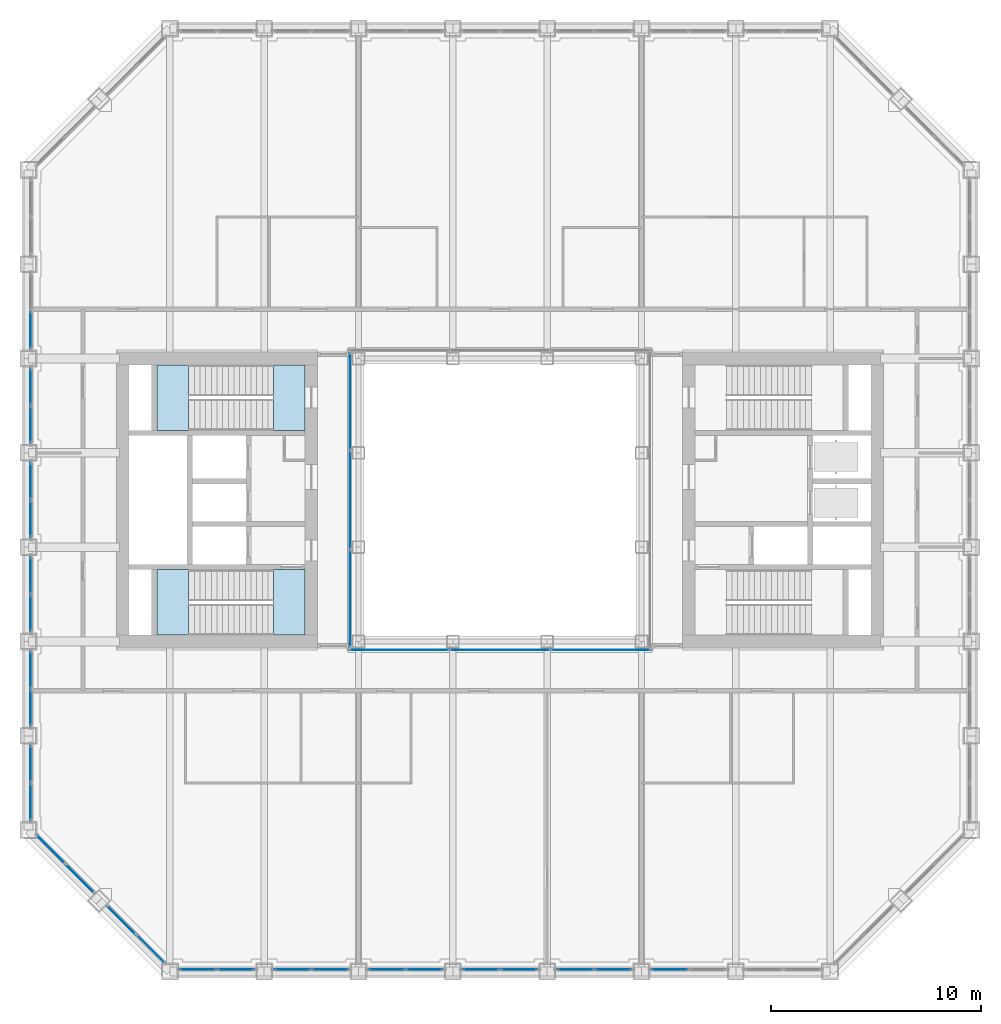
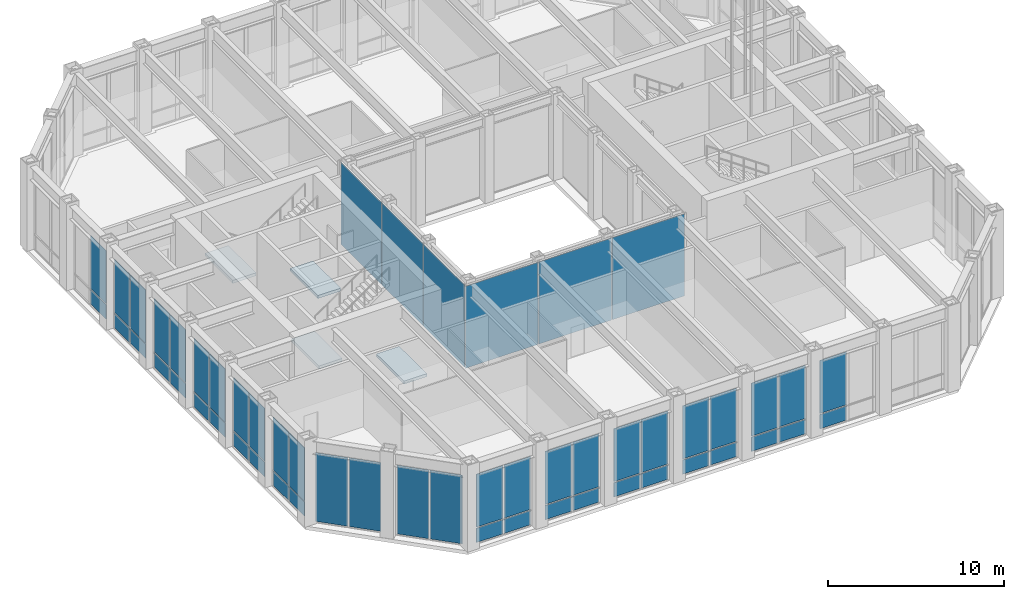
# One storey, part 10 of 22: 54 plates, 4 slabs, 18 elements without a shape of their own.
"""IFC4 building model written with IfcOpenShell, lengths in metres."""

from ifc_helpers import new_model, si_unit, direction, frame, origin, origin_2d, place, context, subcontext, project, spatial, polyline, rectangle, outline, extrude, material, layer, layer_set, type_object, element, aggregate, save


model = new_model("IFC4")

# Units and contexts
model_context = context("Model", 3, precision=1e-05, world=origin(), true_north=direction((0.0, 1.0)))
body_context = subcontext(model_context, "Body", "Model", "MODEL_VIEW")
ifc_project = project(units=[si_unit("LENGTHUNIT", "METRE"), si_unit("AREAUNIT", "SQUARE_METRE"), si_unit("VOLUMEUNIT", "CUBIC_METRE"), si_unit("PLANEANGLEUNIT", "RADIAN"), si_unit("MASSUNIT", "GRAM", prefix="KILO")], contexts=[model_context])

# Site, building, storey
site_placement = place(None, origin())
site = spatial("IfcSite", under=ifc_project, at=site_placement, CompositionType="ELEMENT")
building_placement = place(site_placement, origin())
building = spatial("IfcBuilding", under=site, at=building_placement, Name="Msasa Ring Tower", CompositionType="ELEMENT")
storey_placement = place(building_placement, frame((0.0, 0.0, 112.39990234375)))
storey = spatial("IfcBuildingStorey", under=building, at=storey_placement, Name="L29", CompositionType="ELEMENT", Elevation=112.39990234375)

# Curtain wall, plates
ifc_material_1 = material(Name="Aluminium curtain wall with clear glass", Category="aluminium")
curtain_wall_type_1 = type_object("IfcCurtainWallType", Name="CW-C CHAMFER CORNER CURTAIN WALL", PredefinedType="NOTDEFINED", material=ifc_material_1)
curtain_wall_1_placement = place(storey_placement, origin())
curtain_wall_1 = element("IfcCurtainWall", 1, at=curtain_wall_1_placement, inside=storey, type_object=curtain_wall_type_1, Name="Chamfer corner curtain wall SW L29", PredefinedType="NOTDEFINED")
ifc_material_2 = material(Name="Clear laminated insulating glass unit", Category="glass")
ifc_layer_1 = layer(ifc_material_2, 0.031982421875)
ifc_layer_set_1 = layer_set([ifc_layer_1], Name="CW-C GLASS PANEL 32")
plate_type_1 = type_object("IfcPlateType", Name="CW-C GLASS PANEL 32", PredefinedType="CURTAIN_PANEL", material=ifc_layer_set_1)
plate_1_placement = place(storey_placement, frame((-21.430908203125, -16.677734375, 0.065185546875), z_axis=(0.0, 0.0, 1.0), x_axis=(0.707106781187, -0.707106781187, 0.0)))
plate_1 = element("IfcPlate", 2, at=plate_1_placement, type_object=plate_type_1, Name="CW-C panel 1.1", PredefinedType="CURTAIN_PANEL", context=body_context, shape_type="SweptSolid", body=[
    extrude(rectangle(XDim=1.884033203125, YDim=0.031982421875, at=origin_2d()), origin(), (0.0, 0.0, 1.0), 4.7490234375),
])
plate_2_placement = place(storey_placement, frame((-20.052734375, -18.055908203125, 0.065185546875), z_axis=(0.0, 0.0, 1.0), x_axis=(0.707106781187, -0.707106781187, 0.0)))
plate_2 = element("IfcPlate", 3, at=plate_2_placement, type_object=plate_type_1, Name="CW-C panel 2.1", PredefinedType="CURTAIN_PANEL", context=body_context, shape_type="SweptSolid", body=[
    extrude(rectangle(XDim=1.884033203125, YDim=0.031982421875, at=origin_2d()), origin(), (0.0, 0.0, 1.0), 4.7490234375),
])
aggregate(curtain_wall_1, [plate_1, plate_2])

curtain_wall_2_placement = place(storey_placement, origin())
curtain_wall_2 = element("IfcCurtainWall", 4, at=curtain_wall_2_placement, inside=storey, type_object=curtain_wall_type_1, Name="Chamfer corner curtain wall SW L29", PredefinedType="NOTDEFINED")
plate_3_placement = place(storey_placement, frame((-18.055908203125, -20.052734375, 0.065185546875), z_axis=(0.0, 0.0, 1.0), x_axis=(0.707106781187, -0.707106781187, 0.0)))
plate_3 = element("IfcPlate", 5, at=plate_3_placement, type_object=plate_type_1, Name="CW-C panel 1.1", PredefinedType="CURTAIN_PANEL", context=body_context, shape_type="SweptSolid", body=[
    extrude(rectangle(XDim=1.884033203125, YDim=0.031982421875, at=origin_2d()), origin(), (0.0, 0.0, 1.0), 4.7490234375),
])
plate_4_placement = place(storey_placement, frame((-16.677734375, -21.430908203125, 0.065185546875), z_axis=(0.0, 0.0, 1.0), x_axis=(0.707106781187, -0.707106781187, 0.0)))
plate_4 = element("IfcPlate", 6, at=plate_4_placement, type_object=plate_type_1, Name="CW-C panel 2.1", PredefinedType="CURTAIN_PANEL", context=body_context, shape_type="SweptSolid", body=[
    extrude(rectangle(XDim=1.884033203125, YDim=0.031982421875, at=origin_2d()), origin(), (0.0, 0.0, 1.0), 4.7490234375),
])
aggregate(curtain_wall_2, [plate_3, plate_4])

ifc_material_3 = material(Name="Aluminium curtain wall with clear glass", Category="aluminium")
curtain_wall_type_2 = type_object("IfcCurtainWallType", Name="CW-S SKY LOBBY CURTAIN WALL", PredefinedType="NOTDEFINED", material=ifc_material_3)
curtain_wall_3_placement = place(storey_placement, origin())
curtain_wall_3 = element("IfcCurtainWall", 7, at=curtain_wall_3_placement, inside=storey, type_object=curtain_wall_type_2, Name="Sky lobby curtain wall S L29", PredefinedType="NOTDEFINED")
ifc_material_4 = material(Name="Clear laminated insulating glass unit", Category="glass")
ifc_layer_2 = layer(ifc_material_4, 0.035888671875)
ifc_layer_set_2 = layer_set([ifc_layer_2], Name="CW-S GLASS PANEL 36")
plate_type_2 = type_object("IfcPlateType", Name="CW-S GLASS PANEL 36", PredefinedType="CURTAIN_PANEL", material=ifc_layer_set_2)
plate_5_placement = place(storey_placement, frame((-14.40380859375, -22.39990234375, 0.0751953125), z_axis=(0.0, 0.0, 1.0), x_axis=(1.0, 0.0, 0.0)))
plate_5 = element("IfcPlate", 8, at=plate_5_placement, type_object=plate_type_2, Name="CW-S panel 1.1", PredefinedType="CURTAIN_PANEL", context=body_context, shape_type="SweptSolid", body=[
    extrude(rectangle(XDim=1.732421875, YDim=0.035888671875, at=origin_2d()), origin(), (0.0, 0.0, 1.0), 0.987548828125),
])
plate_6_placement = place(storey_placement, frame((-14.40380859375, -22.39990234375, 1.1376953125), z_axis=(0.0, 0.0, 1.0), x_axis=(1.0, 0.0, 0.0)))
plate_6 = element("IfcPlate", 9, at=plate_6_placement, type_object=plate_type_2, Name="CW-S panel 1.2", PredefinedType="CURTAIN_PANEL", context=body_context, shape_type="SweptSolid", body=[
    extrude(rectangle(XDim=1.732421875, YDim=0.035888671875, at=origin_2d()), origin(), (0.0, 0.0, 1.0), 3.66650390625),
])
plate_7_placement = place(storey_placement, frame((-12.59619140625, -22.39990234375, 0.0751953125), z_axis=(0.0, 0.0, 1.0), x_axis=(1.0, 0.0, 0.0)))
plate_7 = element("IfcPlate", 10, at=plate_7_placement, type_object=plate_type_2, Name="CW-S panel 2.1", PredefinedType="CURTAIN_PANEL", context=body_context, shape_type="SweptSolid", body=[
    extrude(rectangle(XDim=1.732421875, YDim=0.035888671875, at=origin_2d()), origin(), (0.0, 0.0, 1.0), 0.987548828125),
])
plate_8_placement = place(storey_placement, frame((-12.59619140625, -22.39990234375, 1.1376953125), z_axis=(0.0, 0.0, 1.0), x_axis=(1.0, 0.0, 0.0)))
plate_8 = element("IfcPlate", 11, at=plate_8_placement, type_object=plate_type_2, Name="CW-S panel 2.2", PredefinedType="CURTAIN_PANEL", context=body_context, shape_type="SweptSolid", body=[
    extrude(rectangle(XDim=1.732421875, YDim=0.035888671875, at=origin_2d()), origin(), (0.0, 0.0, 1.0), 3.66650390625),
])
aggregate(curtain_wall_3, [plate_5, plate_6, plate_7, plate_8])

curtain_wall_4_placement = place(storey_placement, origin())
curtain_wall_4 = element("IfcCurtainWall", 12, at=curtain_wall_4_placement, inside=storey, type_object=curtain_wall_type_2, Name="Sky lobby curtain wall S L29", PredefinedType="NOTDEFINED")
plate_9_placement = place(storey_placement, frame((-9.90380859375, -22.39990234375, 0.0751953125), z_axis=(0.0, 0.0, 1.0), x_axis=(1.0, 0.0, 0.0)))
plate_9 = element("IfcPlate", 13, at=plate_9_placement, type_object=plate_type_2, Name="CW-S panel 1.1", PredefinedType="CURTAIN_PANEL", context=body_context, shape_type="SweptSolid", body=[
    extrude(rectangle(XDim=1.732421875, YDim=0.035888671875, at=origin_2d()), origin(), (0.0, 0.0, 1.0), 0.987548828125),
])
plate_10_placement = place(storey_placement, frame((-9.90380859375, -22.39990234375, 1.1376953125), z_axis=(0.0, 0.0, 1.0), x_axis=(1.0, 0.0, 0.0)))
plate_10 = element("IfcPlate", 14, at=plate_10_placement, type_object=plate_type_2, Name="CW-S panel 1.2", PredefinedType="CURTAIN_PANEL", context=body_context, shape_type="SweptSolid", body=[
    extrude(rectangle(XDim=1.732421875, YDim=0.035888671875, at=origin_2d()), origin(), (0.0, 0.0, 1.0), 3.66650390625),
])
plate_11_placement = place(storey_placement, frame((-8.09619140625, -22.39990234375, 0.0751953125), z_axis=(0.0, 0.0, 1.0), x_axis=(1.0, 0.0, 0.0)))
plate_11 = element("IfcPlate", 15, at=plate_11_placement, type_object=plate_type_2, Name="CW-S panel 2.1", PredefinedType="CURTAIN_PANEL", context=body_context, shape_type="SweptSolid", body=[
    extrude(rectangle(XDim=1.732421875, YDim=0.035888671875, at=origin_2d()), origin(), (0.0, 0.0, 1.0), 0.987548828125),
])
plate_12_placement = place(storey_placement, frame((-8.09619140625, -22.39990234375, 1.1376953125), z_axis=(0.0, 0.0, 1.0), x_axis=(1.0, 0.0, 0.0)))
plate_12 = element("IfcPlate", 16, at=plate_12_placement, type_object=plate_type_2, Name="CW-S panel 2.2", PredefinedType="CURTAIN_PANEL", context=body_context, shape_type="SweptSolid", body=[
    extrude(rectangle(XDim=1.732421875, YDim=0.035888671875, at=origin_2d()), origin(), (0.0, 0.0, 1.0), 3.66650390625),
])
aggregate(curtain_wall_4, [plate_9, plate_10, plate_11, plate_12])

curtain_wall_5_placement = place(storey_placement, origin())
curtain_wall_5 = element("IfcCurtainWall", 17, at=curtain_wall_5_placement, inside=storey, type_object=curtain_wall_type_2, Name="Sky lobby curtain wall S L29", PredefinedType="NOTDEFINED")
plate_13_placement = place(storey_placement, frame((-5.40380859375, -22.39990234375, 0.0751953125), z_axis=(0.0, 0.0, 1.0), x_axis=(1.0, 0.0, 0.0)))
plate_13 = element("IfcPlate", 18, at=plate_13_placement, type_object=plate_type_2, Name="CW-S panel 1.1", PredefinedType="CURTAIN_PANEL", context=body_context, shape_type="SweptSolid", body=[
    extrude(rectangle(XDim=1.732421875, YDim=0.035888671875, at=origin_2d()), origin(), (0.0, 0.0, 1.0), 0.987548828125),
])
plate_14_placement = place(storey_placement, frame((-5.40380859375, -22.39990234375, 1.1376953125), z_axis=(0.0, 0.0, 1.0), x_axis=(1.0, 0.0, 0.0)))
plate_14 = element("IfcPlate", 19, at=plate_14_placement, type_object=plate_type_2, Name="CW-S panel 1.2", PredefinedType="CURTAIN_PANEL", context=body_context, shape_type="SweptSolid", body=[
    extrude(rectangle(XDim=1.732421875, YDim=0.035888671875, at=origin_2d()), origin(), (0.0, 0.0, 1.0), 3.66650390625),
])
plate_15_placement = place(storey_placement, frame((-3.59619140625, -22.39990234375, 0.0751953125), z_axis=(0.0, 0.0, 1.0), x_axis=(1.0, 0.0, 0.0)))
plate_15 = element("IfcPlate", 20, at=plate_15_placement, type_object=plate_type_2, Name="CW-S panel 2.1", PredefinedType="CURTAIN_PANEL", context=body_context, shape_type="SweptSolid", body=[
    extrude(rectangle(XDim=1.732421875, YDim=0.035888671875, at=origin_2d()), origin(), (0.0, 0.0, 1.0), 0.987548828125),
])
plate_16_placement = place(storey_placement, frame((-3.59619140625, -22.39990234375, 1.1376953125), z_axis=(0.0, 0.0, 1.0), x_axis=(1.0, 0.0, 0.0)))
plate_16 = element("IfcPlate", 21, at=plate_16_placement, type_object=plate_type_2, Name="CW-S panel 2.2", PredefinedType="CURTAIN_PANEL", context=body_context, shape_type="SweptSolid", body=[
    extrude(rectangle(XDim=1.732421875, YDim=0.035888671875, at=origin_2d()), origin(), (0.0, 0.0, 1.0), 3.66650390625),
])
aggregate(curtain_wall_5, [plate_13, plate_14, plate_15, plate_16])

curtain_wall_6_placement = place(storey_placement, origin())
curtain_wall_6 = element("IfcCurtainWall", 22, at=curtain_wall_6_placement, inside=storey, type_object=curtain_wall_type_2, Name="Sky lobby curtain wall S L29", PredefinedType="NOTDEFINED")
plate_17_placement = place(storey_placement, frame((-0.90380859375, -22.39990234375, 0.0751953125), z_axis=(0.0, 0.0, 1.0), x_axis=(1.0, 0.0, 0.0)))
plate_17 = element("IfcPlate", 23, at=plate_17_placement, type_object=plate_type_2, Name="CW-S panel 1.1", PredefinedType="CURTAIN_PANEL", context=body_context, shape_type="SweptSolid", body=[
    extrude(rectangle(XDim=1.732421875, YDim=0.035888671875, at=origin_2d()), origin(), (0.0, 0.0, 1.0), 0.987548828125),
])
plate_18_placement = place(storey_placement, frame((-0.90380859375, -22.39990234375, 1.1376953125), z_axis=(0.0, 0.0, 1.0), x_axis=(1.0, 0.0, 0.0)))
plate_18 = element("IfcPlate", 24, at=plate_18_placement, type_object=plate_type_2, Name="CW-S panel 1.2", PredefinedType="CURTAIN_PANEL", context=body_context, shape_type="SweptSolid", body=[
    extrude(rectangle(XDim=1.732421875, YDim=0.035888671875, at=origin_2d()), origin(), (0.0, 0.0, 1.0), 3.66650390625),
])
plate_19_placement = place(storey_placement, frame((0.90380859375, -22.39990234375, 0.0751953125), z_axis=(0.0, 0.0, 1.0), x_axis=(1.0, 0.0, 0.0)))
plate_19 = element("IfcPlate", 25, at=plate_19_placement, type_object=plate_type_2, Name="CW-S panel 2.1", PredefinedType="CURTAIN_PANEL", context=body_context, shape_type="SweptSolid", body=[
    extrude(rectangle(XDim=1.732421875, YDim=0.035888671875, at=origin_2d()), origin(), (0.0, 0.0, 1.0), 0.987548828125),
])
plate_20_placement = place(storey_placement, frame((0.90380859375, -22.39990234375, 1.1376953125), z_axis=(0.0, 0.0, 1.0), x_axis=(1.0, 0.0, 0.0)))
plate_20 = element("IfcPlate", 26, at=plate_20_placement, type_object=plate_type_2, Name="CW-S panel 2.2", PredefinedType="CURTAIN_PANEL", context=body_context, shape_type="SweptSolid", body=[
    extrude(rectangle(XDim=1.732421875, YDim=0.035888671875, at=origin_2d()), origin(), (0.0, 0.0, 1.0), 3.66650390625),
])
aggregate(curtain_wall_6, [plate_17, plate_18, plate_19, plate_20])

curtain_wall_7_placement = place(storey_placement, origin())
curtain_wall_7 = element("IfcCurtainWall", 27, at=curtain_wall_7_placement, inside=storey, type_object=curtain_wall_type_2, Name="Sky lobby curtain wall S L29", PredefinedType="NOTDEFINED")
plate_21_placement = place(storey_placement, frame((3.59619140625, -22.39990234375, 0.0751953125), z_axis=(0.0, 0.0, 1.0), x_axis=(1.0, 0.0, 0.0)))
plate_21 = element("IfcPlate", 28, at=plate_21_placement, type_object=plate_type_2, Name="CW-S panel 1.1", PredefinedType="CURTAIN_PANEL", context=body_context, shape_type="SweptSolid", body=[
    extrude(rectangle(XDim=1.732421875, YDim=0.035888671875, at=origin_2d()), origin(), (0.0, 0.0, 1.0), 0.987548828125),
])
plate_22_placement = place(storey_placement, frame((3.59619140625, -22.39990234375, 1.1376953125), z_axis=(0.0, 0.0, 1.0), x_axis=(1.0, 0.0, 0.0)))
plate_22 = element("IfcPlate", 29, at=plate_22_placement, type_object=plate_type_2, Name="CW-S panel 1.2", PredefinedType="CURTAIN_PANEL", context=body_context, shape_type="SweptSolid", body=[
    extrude(rectangle(XDim=1.732421875, YDim=0.035888671875, at=origin_2d()), origin(), (0.0, 0.0, 1.0), 3.66650390625),
])
plate_23_placement = place(storey_placement, frame((5.40380859375, -22.39990234375, 0.0751953125), z_axis=(0.0, 0.0, 1.0), x_axis=(1.0, 0.0, 0.0)))
plate_23 = element("IfcPlate", 30, at=plate_23_placement, type_object=plate_type_2, Name="CW-S panel 2.1", PredefinedType="CURTAIN_PANEL", context=body_context, shape_type="SweptSolid", body=[
    extrude(rectangle(XDim=1.732421875, YDim=0.035888671875, at=origin_2d()), origin(), (0.0, 0.0, 1.0), 0.987548828125),
])
plate_24_placement = place(storey_placement, frame((5.40380859375, -22.39990234375, 1.1376953125), z_axis=(0.0, 0.0, 1.0), x_axis=(1.0, 0.0, 0.0)))
plate_24 = element("IfcPlate", 31, at=plate_24_placement, type_object=plate_type_2, Name="CW-S panel 2.2", PredefinedType="CURTAIN_PANEL", context=body_context, shape_type="SweptSolid", body=[
    extrude(rectangle(XDim=1.732421875, YDim=0.035888671875, at=origin_2d()), origin(), (0.0, 0.0, 1.0), 3.66650390625),
])
aggregate(curtain_wall_7, [plate_21, plate_22, plate_23, plate_24])

curtain_wall_8_placement = place(storey_placement, origin())
curtain_wall_8 = element("IfcCurtainWall", 32, at=curtain_wall_8_placement, inside=storey, type_object=curtain_wall_type_2, Name="Sky lobby curtain wall S L29", PredefinedType="NOTDEFINED")
plate_25_placement = place(storey_placement, frame((8.09619140625, -22.39990234375, 0.0751953125), z_axis=(0.0, 0.0, 1.0), x_axis=(1.0, 0.0, 0.0)))
plate_25 = element("IfcPlate", 33, at=plate_25_placement, type_object=plate_type_2, Name="CW-S panel 1.1", PredefinedType="CURTAIN_PANEL", context=body_context, shape_type="SweptSolid", body=[
    extrude(rectangle(XDim=1.732421875, YDim=0.035888671875, at=origin_2d()), origin(), (0.0, 0.0, 1.0), 0.987548828125),
])
plate_26_placement = place(storey_placement, frame((8.09619140625, -22.39990234375, 1.1376953125), z_axis=(0.0, 0.0, 1.0), x_axis=(1.0, 0.0, 0.0)))
plate_26 = element("IfcPlate", 34, at=plate_26_placement, type_object=plate_type_2, Name="CW-S panel 1.2", PredefinedType="CURTAIN_PANEL", context=body_context, shape_type="SweptSolid", body=[
    extrude(rectangle(XDim=1.732421875, YDim=0.035888671875, at=origin_2d()), origin(), (0.0, 0.0, 1.0), 3.66650390625),
])
aggregate(curtain_wall_8, [plate_25, plate_26])

curtain_wall_9_placement = place(storey_placement, origin())
curtain_wall_9 = element("IfcCurtainWall", 35, at=curtain_wall_9_placement, inside=storey, type_object=curtain_wall_type_2, Name="Sky lobby curtain wall W L29", PredefinedType="NOTDEFINED")
plate_27_placement = place(storey_placement, frame((-22.39990234375, -14.40380859375, 0.0751953125), z_axis=(0.0, 0.0, 1.0), x_axis=(0.0, 1.0, 0.0)))
plate_27 = element("IfcPlate", 36, at=plate_27_placement, type_object=plate_type_2, Name="CW-S panel 1.1", PredefinedType="CURTAIN_PANEL", context=body_context, shape_type="SweptSolid", body=[
    extrude(rectangle(XDim=1.732421875, YDim=0.035888671875, at=origin_2d()), origin(), (0.0, 0.0, 1.0), 0.987548828125),
])
plate_28_placement = place(storey_placement, frame((-22.39990234375, -14.40380859375, 1.1376953125), z_axis=(0.0, 0.0, 1.0), x_axis=(0.0, 1.0, 0.0)))
plate_28 = element("IfcPlate", 37, at=plate_28_placement, type_object=plate_type_2, Name="CW-S panel 1.2", PredefinedType="CURTAIN_PANEL", context=body_context, shape_type="SweptSolid", body=[
    extrude(rectangle(XDim=1.732421875, YDim=0.035888671875, at=origin_2d()), origin(), (0.0, 0.0, 1.0), 3.66650390625),
])
plate_29_placement = place(storey_placement, frame((-22.39990234375, -12.59619140625, 0.0751953125), z_axis=(0.0, 0.0, 1.0), x_axis=(0.0, 1.0, 0.0)))
plate_29 = element("IfcPlate", 38, at=plate_29_placement, type_object=plate_type_2, Name="CW-S panel 2.1", PredefinedType="CURTAIN_PANEL", context=body_context, shape_type="SweptSolid", body=[
    extrude(rectangle(XDim=1.732421875, YDim=0.035888671875, at=origin_2d()), origin(), (0.0, 0.0, 1.0), 0.987548828125),
])
plate_30_placement = place(storey_placement, frame((-22.39990234375, -12.59619140625, 1.1376953125), z_axis=(0.0, 0.0, 1.0), x_axis=(0.0, 1.0, 0.0)))
plate_30 = element("IfcPlate", 39, at=plate_30_placement, type_object=plate_type_2, Name="CW-S panel 2.2", PredefinedType="CURTAIN_PANEL", context=body_context, shape_type="SweptSolid", body=[
    extrude(rectangle(XDim=1.732421875, YDim=0.035888671875, at=origin_2d()), origin(), (0.0, 0.0, 1.0), 3.66650390625),
])
aggregate(curtain_wall_9, [plate_27, plate_28, plate_29, plate_30])

curtain_wall_10_placement = place(storey_placement, origin())
curtain_wall_10 = element("IfcCurtainWall", 40, at=curtain_wall_10_placement, inside=storey, type_object=curtain_wall_type_2, Name="Sky lobby curtain wall W L29", PredefinedType="NOTDEFINED")
plate_31_placement = place(storey_placement, frame((-22.39990234375, -9.90380859375, 0.0751953125), z_axis=(0.0, 0.0, 1.0), x_axis=(0.0, 1.0, 0.0)))
plate_31 = element("IfcPlate", 41, at=plate_31_placement, type_object=plate_type_2, Name="CW-S panel 1.1", PredefinedType="CURTAIN_PANEL", context=body_context, shape_type="SweptSolid", body=[
    extrude(rectangle(XDim=1.732421875, YDim=0.035888671875, at=origin_2d()), origin(), (0.0, 0.0, 1.0), 0.987548828125),
])
plate_32_placement = place(storey_placement, frame((-22.39990234375, -9.90380859375, 1.1376953125), z_axis=(0.0, 0.0, 1.0), x_axis=(0.0, 1.0, 0.0)))
plate_32 = element("IfcPlate", 42, at=plate_32_placement, type_object=plate_type_2, Name="CW-S panel 1.2", PredefinedType="CURTAIN_PANEL", context=body_context, shape_type="SweptSolid", body=[
    extrude(rectangle(XDim=1.732421875, YDim=0.035888671875, at=origin_2d()), origin(), (0.0, 0.0, 1.0), 3.66650390625),
])
plate_33_placement = place(storey_placement, frame((-22.39990234375, -8.09619140625, 0.0751953125), z_axis=(0.0, 0.0, 1.0), x_axis=(0.0, 1.0, 0.0)))
plate_33 = element("IfcPlate", 43, at=plate_33_placement, type_object=plate_type_2, Name="CW-S panel 2.1", PredefinedType="CURTAIN_PANEL", context=body_context, shape_type="SweptSolid", body=[
    extrude(rectangle(XDim=1.732421875, YDim=0.035888671875, at=origin_2d()), origin(), (0.0, 0.0, 1.0), 0.987548828125),
])
plate_34_placement = place(storey_placement, frame((-22.39990234375, -8.09619140625, 1.1376953125), z_axis=(0.0, 0.0, 1.0), x_axis=(0.0, 1.0, 0.0)))
plate_34 = element("IfcPlate", 44, at=plate_34_placement, type_object=plate_type_2, Name="CW-S panel 2.2", PredefinedType="CURTAIN_PANEL", context=body_context, shape_type="SweptSolid", body=[
    extrude(rectangle(XDim=1.732421875, YDim=0.035888671875, at=origin_2d()), origin(), (0.0, 0.0, 1.0), 3.66650390625),
])
aggregate(curtain_wall_10, [plate_31, plate_32, plate_33, plate_34])

curtain_wall_11_placement = place(storey_placement, origin())
curtain_wall_11 = element("IfcCurtainWall", 45, at=curtain_wall_11_placement, inside=storey, type_object=curtain_wall_type_2, Name="Sky lobby curtain wall W L29", PredefinedType="NOTDEFINED")
plate_35_placement = place(storey_placement, frame((-22.39990234375, -5.40380859375, 0.0751953125), z_axis=(0.0, 0.0, 1.0), x_axis=(0.0, 1.0, 0.0)))
plate_35 = element("IfcPlate", 46, at=plate_35_placement, type_object=plate_type_2, Name="CW-S panel 1.1", PredefinedType="CURTAIN_PANEL", context=body_context, shape_type="SweptSolid", body=[
    extrude(rectangle(XDim=1.732421875, YDim=0.035888671875, at=origin_2d()), origin(), (0.0, 0.0, 1.0), 0.987548828125),
])
plate_36_placement = place(storey_placement, frame((-22.39990234375, -5.40380859375, 1.1376953125), z_axis=(0.0, 0.0, 1.0), x_axis=(0.0, 1.0, 0.0)))
plate_36 = element("IfcPlate", 47, at=plate_36_placement, type_object=plate_type_2, Name="CW-S panel 1.2", PredefinedType="CURTAIN_PANEL", context=body_context, shape_type="SweptSolid", body=[
    extrude(rectangle(XDim=1.732421875, YDim=0.035888671875, at=origin_2d()), origin(), (0.0, 0.0, 1.0), 3.66650390625),
])
plate_37_placement = place(storey_placement, frame((-22.39990234375, -3.59619140625, 0.0751953125), z_axis=(0.0, 0.0, 1.0), x_axis=(0.0, 1.0, 0.0)))
plate_37 = element("IfcPlate", 48, at=plate_37_placement, type_object=plate_type_2, Name="CW-S panel 2.1", PredefinedType="CURTAIN_PANEL", context=body_context, shape_type="SweptSolid", body=[
    extrude(rectangle(XDim=1.732421875, YDim=0.035888671875, at=origin_2d()), origin(), (0.0, 0.0, 1.0), 0.987548828125),
])
plate_38_placement = place(storey_placement, frame((-22.39990234375, -3.59619140625, 1.1376953125), z_axis=(0.0, 0.0, 1.0), x_axis=(0.0, 1.0, 0.0)))
plate_38 = element("IfcPlate", 49, at=plate_38_placement, type_object=plate_type_2, Name="CW-S panel 2.2", PredefinedType="CURTAIN_PANEL", context=body_context, shape_type="SweptSolid", body=[
    extrude(rectangle(XDim=1.732421875, YDim=0.035888671875, at=origin_2d()), origin(), (0.0, 0.0, 1.0), 3.66650390625),
])
aggregate(curtain_wall_11, [plate_35, plate_36, plate_37, plate_38])

curtain_wall_12_placement = place(storey_placement, origin())
curtain_wall_12 = element("IfcCurtainWall", 50, at=curtain_wall_12_placement, inside=storey, type_object=curtain_wall_type_2, Name="Sky lobby curtain wall W L29", PredefinedType="NOTDEFINED")
plate_39_placement = place(storey_placement, frame((-22.39990234375, -0.90380859375, 0.0751953125), z_axis=(0.0, 0.0, 1.0), x_axis=(0.0, 1.0, 0.0)))
plate_39 = element("IfcPlate", 51, at=plate_39_placement, type_object=plate_type_2, Name="CW-S panel 1.1", PredefinedType="CURTAIN_PANEL", context=body_context, shape_type="SweptSolid", body=[
    extrude(rectangle(XDim=1.732421875, YDim=0.035888671875, at=origin_2d()), origin(), (0.0, 0.0, 1.0), 0.987548828125),
])
plate_40_placement = place(storey_placement, frame((-22.39990234375, -0.90380859375, 1.1376953125), z_axis=(0.0, 0.0, 1.0), x_axis=(0.0, 1.0, 0.0)))
plate_40 = element("IfcPlate", 52, at=plate_40_placement, type_object=plate_type_2, Name="CW-S panel 1.2", PredefinedType="CURTAIN_PANEL", context=body_context, shape_type="SweptSolid", body=[
    extrude(rectangle(XDim=1.732421875, YDim=0.035888671875, at=origin_2d()), origin(), (0.0, 0.0, 1.0), 3.66650390625),
])
plate_41_placement = place(storey_placement, frame((-22.39990234375, 0.90380859375, 0.0751953125), z_axis=(0.0, 0.0, 1.0), x_axis=(0.0, 1.0, 0.0)))
plate_41 = element("IfcPlate", 53, at=plate_41_placement, type_object=plate_type_2, Name="CW-S panel 2.1", PredefinedType="CURTAIN_PANEL", context=body_context, shape_type="SweptSolid", body=[
    extrude(rectangle(XDim=1.732421875, YDim=0.035888671875, at=origin_2d()), origin(), (0.0, 0.0, 1.0), 0.987548828125),
])
plate_42_placement = place(storey_placement, frame((-22.39990234375, 0.90380859375, 1.1376953125), z_axis=(0.0, 0.0, 1.0), x_axis=(0.0, 1.0, 0.0)))
plate_42 = element("IfcPlate", 54, at=plate_42_placement, type_object=plate_type_2, Name="CW-S panel 2.2", PredefinedType="CURTAIN_PANEL", context=body_context, shape_type="SweptSolid", body=[
    extrude(rectangle(XDim=1.732421875, YDim=0.035888671875, at=origin_2d()), origin(), (0.0, 0.0, 1.0), 3.66650390625),
])
aggregate(curtain_wall_12, [plate_39, plate_40, plate_41, plate_42])

curtain_wall_13_placement = place(storey_placement, origin())
curtain_wall_13 = element("IfcCurtainWall", 55, at=curtain_wall_13_placement, inside=storey, type_object=curtain_wall_type_2, Name="Sky lobby curtain wall W L29", PredefinedType="NOTDEFINED")
plate_43_placement = place(storey_placement, frame((-22.39990234375, 3.59619140625, 0.0751953125), z_axis=(0.0, 0.0, 1.0), x_axis=(0.0, 1.0, 0.0)))
plate_43 = element("IfcPlate", 56, at=plate_43_placement, type_object=plate_type_2, Name="CW-S panel 1.1", PredefinedType="CURTAIN_PANEL", context=body_context, shape_type="SweptSolid", body=[
    extrude(rectangle(XDim=1.732421875, YDim=0.035888671875, at=origin_2d()), origin(), (0.0, 0.0, 1.0), 0.987548828125),
])
plate_44_placement = place(storey_placement, frame((-22.39990234375, 3.59619140625, 1.1376953125), z_axis=(0.0, 0.0, 1.0), x_axis=(0.0, 1.0, 0.0)))
plate_44 = element("IfcPlate", 57, at=plate_44_placement, type_object=plate_type_2, Name="CW-S panel 1.2", PredefinedType="CURTAIN_PANEL", context=body_context, shape_type="SweptSolid", body=[
    extrude(rectangle(XDim=1.732421875, YDim=0.035888671875, at=origin_2d()), origin(), (0.0, 0.0, 1.0), 3.66650390625),
])
plate_45_placement = place(storey_placement, frame((-22.39990234375, 5.40380859375, 0.0751953125), z_axis=(0.0, 0.0, 1.0), x_axis=(0.0, 1.0, 0.0)))
plate_45 = element("IfcPlate", 58, at=plate_45_placement, type_object=plate_type_2, Name="CW-S panel 2.1", PredefinedType="CURTAIN_PANEL", context=body_context, shape_type="SweptSolid", body=[
    extrude(rectangle(XDim=1.732421875, YDim=0.035888671875, at=origin_2d()), origin(), (0.0, 0.0, 1.0), 0.987548828125),
])
plate_46_placement = place(storey_placement, frame((-22.39990234375, 5.40380859375, 1.1376953125), z_axis=(0.0, 0.0, 1.0), x_axis=(0.0, 1.0, 0.0)))
plate_46 = element("IfcPlate", 59, at=plate_46_placement, type_object=plate_type_2, Name="CW-S panel 2.2", PredefinedType="CURTAIN_PANEL", context=body_context, shape_type="SweptSolid", body=[
    extrude(rectangle(XDim=1.732421875, YDim=0.035888671875, at=origin_2d()), origin(), (0.0, 0.0, 1.0), 3.66650390625),
])
aggregate(curtain_wall_13, [plate_43, plate_44, plate_45, plate_46])

curtain_wall_14_placement = place(storey_placement, origin())
curtain_wall_14 = element("IfcCurtainWall", 60, at=curtain_wall_14_placement, inside=storey, type_object=curtain_wall_type_2, Name="Sky lobby curtain wall W L29", PredefinedType="NOTDEFINED")
plate_47_placement = place(storey_placement, frame((-22.39990234375, 8.09619140625, 0.0751953125), z_axis=(0.0, 0.0, 1.0), x_axis=(0.0, 1.0, 0.0)))
plate_47 = element("IfcPlate", 61, at=plate_47_placement, type_object=plate_type_2, Name="CW-S panel 1.1", PredefinedType="CURTAIN_PANEL", context=body_context, shape_type="SweptSolid", body=[
    extrude(rectangle(XDim=1.732421875, YDim=0.035888671875, at=origin_2d()), origin(), (0.0, 0.0, 1.0), 0.987548828125),
])
plate_48_placement = place(storey_placement, frame((-22.39990234375, 8.09619140625, 1.1376953125), z_axis=(0.0, 0.0, 1.0), x_axis=(0.0, 1.0, 0.0)))
plate_48 = element("IfcPlate", 62, at=plate_48_placement, type_object=plate_type_2, Name="CW-S panel 1.2", PredefinedType="CURTAIN_PANEL", context=body_context, shape_type="SweptSolid", body=[
    extrude(rectangle(XDim=1.732421875, YDim=0.035888671875, at=origin_2d()), origin(), (0.0, 0.0, 1.0), 3.66650390625),
])
aggregate(curtain_wall_14, [plate_47, plate_48])

ifc_material_5 = material(Name="Aluminium curtain wall with clear glass", Category="aluminium")
curtain_wall_type_3 = type_object("IfcCurtainWallType", Name="CW-W LIGHT WELL CURTAIN WALL", PredefinedType="NOTDEFINED", material=ifc_material_5)
curtain_wall_15_placement = place(storey_placement, origin())
curtain_wall_15 = element("IfcCurtainWall", 63, at=curtain_wall_15_placement, inside=storey, type_object=curtain_wall_type_3, Name="Light well curtain wall S L29", PredefinedType="NOTDEFINED")
ifc_material_6 = material(Name="Clear laminated insulating glass unit", Category="glass")
ifc_layer_3 = layer(ifc_material_6, 0.028076171875)
ifc_layer_set_3 = layer_set([ifc_layer_3], Name="CW-W GLASS PANEL 28")
plate_type_3 = type_object("IfcPlateType", Name="CW-W GLASS PANEL 28", PredefinedType="CURTAIN_PANEL", material=ifc_layer_set_3)
plate_49_placement = place(storey_placement, frame((-4.804931640625, -7.14990234375, 0.06005859375), z_axis=(0.0, 0.0, 1.0), x_axis=(1.0, 0.0, 0.0)))
plate_49 = element("IfcPlate", 64, at=plate_49_placement, type_object=plate_type_3, Name="CW-W panel 1.1", PredefinedType="CURTAIN_PANEL", context=body_context, shape_type="SweptSolid", body=[
    extrude(rectangle(XDim=4.72998046875, YDim=0.028076171875, at=origin_2d()), origin(), (0.0, 0.0, 1.0), 5.679931640625),
])
plate_50_placement = place(storey_placement, frame((0.0, -7.14990234375, 0.06005859375), z_axis=(0.0, 0.0, 1.0), x_axis=(1.0, 0.0, 0.0)))
plate_50 = element("IfcPlate", 65, at=plate_50_placement, type_object=plate_type_3, Name="CW-W panel 2.1", PredefinedType="CURTAIN_PANEL", context=body_context, shape_type="SweptSolid", body=[
    extrude(rectangle(XDim=4.760009765625, YDim=0.028076171875, at=origin_2d()), origin(), (0.0, 0.0, 1.0), 5.679931640625),
])
plate_51_placement = place(storey_placement, frame((4.804931640625, -7.14990234375, 0.06005859375), z_axis=(0.0, 0.0, 1.0), x_axis=(1.0, 0.0, 0.0)))
plate_51 = element("IfcPlate", 66, at=plate_51_placement, type_object=plate_type_3, Name="CW-W panel 3.1", PredefinedType="CURTAIN_PANEL", context=body_context, shape_type="SweptSolid", body=[
    extrude(rectangle(XDim=4.72998046875, YDim=0.028076171875, at=origin_2d()), origin(), (0.0, 0.0, 1.0), 5.679931640625),
])
aggregate(curtain_wall_15, [plate_49, plate_50, plate_51])

curtain_wall_16_placement = place(storey_placement, origin())
curtain_wall_16 = element("IfcCurtainWall", 67, at=curtain_wall_16_placement, inside=storey, type_object=curtain_wall_type_3, Name="Light well curtain wall W L29", PredefinedType="NOTDEFINED")
plate_52_placement = place(storey_placement, frame((-7.14990234375, -4.6982421875, 0.06005859375), z_axis=(0.0, 0.0, 1.0), x_axis=(0.0, 1.0, 0.0)))
plate_52 = element("IfcPlate", 68, at=plate_52_placement, type_object=plate_type_3, Name="CW-W panel 1.1", PredefinedType="CURTAIN_PANEL", context=body_context, shape_type="SweptSolid", body=[
    extrude(rectangle(XDim=4.623291015625, YDim=0.028076171875, at=origin_2d()), origin(), (0.0, 0.0, 1.0), 5.679931640625),
])
plate_53_placement = place(storey_placement, frame((-7.14990234375, 0.0, 0.06005859375), z_axis=(0.0, 0.0, 1.0), x_axis=(0.0, 1.0, 0.0)))
plate_53 = element("IfcPlate", 69, at=plate_53_placement, type_object=plate_type_3, Name="CW-W panel 2.1", PredefinedType="CURTAIN_PANEL", context=body_context, shape_type="SweptSolid", body=[
    extrude(rectangle(XDim=4.6533203125, YDim=0.028076171875, at=origin_2d()), origin(), (0.0, 0.0, 1.0), 5.679931640625),
])
plate_54_placement = place(storey_placement, frame((-7.14990234375, 4.6982421875, 0.06005859375), z_axis=(0.0, 0.0, 1.0), x_axis=(0.0, 1.0, 0.0)))
plate_54 = element("IfcPlate", 70, at=plate_54_placement, type_object=plate_type_3, Name="CW-W panel 3.1", PredefinedType="CURTAIN_PANEL", context=body_context, shape_type="SweptSolid", body=[
    extrude(rectangle(XDim=4.623291015625, YDim=0.028076171875, at=origin_2d()), origin(), (0.0, 0.0, 1.0), 5.679931640625),
])
aggregate(curtain_wall_16, [plate_52, plate_53, plate_54])

# Stair, slabs
ifc_material_7 = material(Name="Concrete C40/50", Category="concrete")
stair_type = type_object("IfcStairType", Name="STC CORE STAIR 32 RISERS 187.5", PredefinedType="HALF_TURN_STAIR", material=ifc_material_7)
stair_1_placement = place(storey_placement, origin())
stair_1 = element("IfcStair", 71, at=stair_1_placement, inside=storey, type_object=stair_type, Name="Core stair SWA L29", PredefinedType="HALF_TURN_STAIR")
ifc_material_8 = material(Name="Concrete C40/50", Category="concrete")
ifc_layer_4 = layer(ifc_material_8, 0.199951171875)
ifc_layer_set_4 = layer_set([ifc_layer_4], Name="LD1 CORE STAIR LANDING 200")
slab_type = type_object("IfcSlabType", Name="LD1 CORE STAIR LANDING 200", PredefinedType="LANDING", material=ifc_layer_set_4)
slab_1_placement = place(storey_placement, frame((0.0, 0.0, -0.199951171875)))
slab_1 = element("IfcSlab", 72, at=slab_1_placement, type_object=slab_type, Name="SWA landing 1", PredefinedType="LANDING", context=body_context, shape_type="SweptSolid", body=[
    extrude(outline(polyline([(-10.800048828125, -6.449951171875), (-9.300048828125, -6.449951171875), (-9.300048828125, -3.324951171875), (-10.800048828125, -3.324951171875), (-10.800048828125, -6.449951171875)])), origin(), (0.0, 0.0, 1.0), 0.199951171875),
])
slab_2_placement = place(storey_placement, frame((0.0, 0.0, 2.800048828125)))
slab_2 = element("IfcSlab", 73, at=slab_2_placement, type_object=slab_type, Name="SWA landing 2", PredefinedType="LANDING", context=body_context, shape_type="SweptSolid", body=[
    extrude(outline(polyline([(-16.375, -6.449951171875), (-14.85009765625, -6.449951171875), (-14.85009765625, -3.324951171875), (-16.375, -3.324951171875), (-16.375, -6.449951171875)])), origin(), (0.0, 0.0, 1.0), 0.199951171875),
])
aggregate(stair_1, [slab_1, slab_2])

stair_2_placement = place(storey_placement, origin())
stair_2 = element("IfcStair", 74, at=stair_2_placement, inside=storey, type_object=stair_type, Name="Core stair SWB L29", PredefinedType="HALF_TURN_STAIR")
slab_3_placement = place(storey_placement, frame((0.0, 0.0, -0.199951171875)))
slab_3 = element("IfcSlab", 75, at=slab_3_placement, type_object=slab_type, Name="SWB landing 1", PredefinedType="LANDING", context=body_context, shape_type="SweptSolid", body=[
    extrude(outline(polyline([(-10.800048828125, 3.324951171875), (-9.300048828125, 3.324951171875), (-9.300048828125, 6.449951171875), (-10.800048828125, 6.449951171875), (-10.800048828125, 3.324951171875)])), origin(), (0.0, 0.0, 1.0), 0.199951171875),
])
slab_4_placement = place(storey_placement, frame((0.0, 0.0, 2.800048828125)))
slab_4 = element("IfcSlab", 76, at=slab_4_placement, type_object=slab_type, Name="SWB landing 2", PredefinedType="LANDING", context=body_context, shape_type="SweptSolid", body=[
    extrude(outline(polyline([(-16.375, 3.324951171875), (-14.85009765625, 3.324951171875), (-14.85009765625, 6.449951171875), (-16.375, 6.449951171875), (-16.375, 3.324951171875)])), origin(), (0.0, 0.0, 1.0), 0.199951171875),
])
aggregate(stair_2, [slab_3, slab_4])

save(model, "model.ifc")
